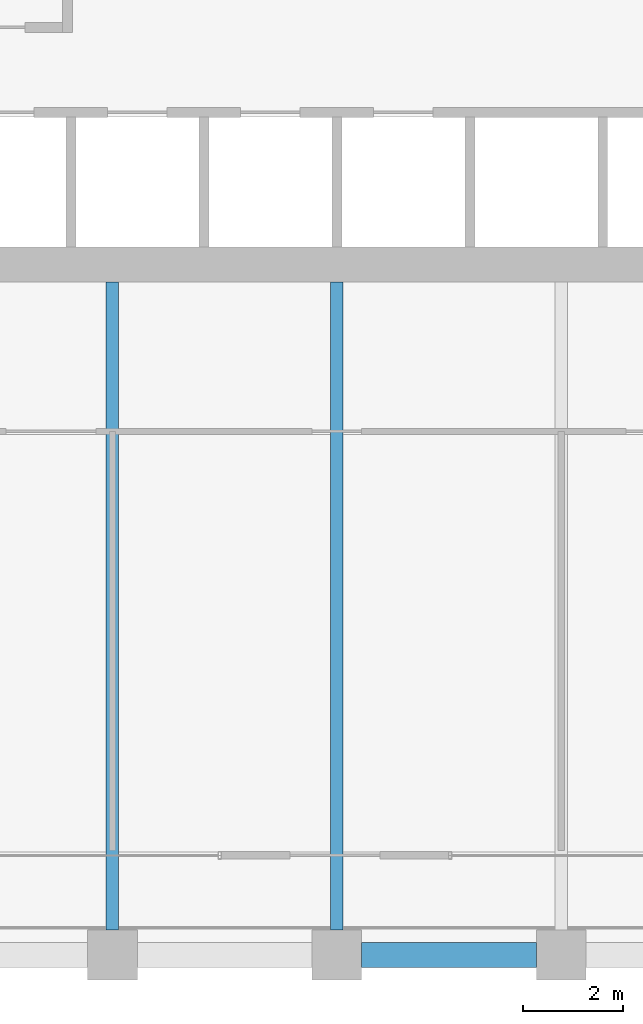
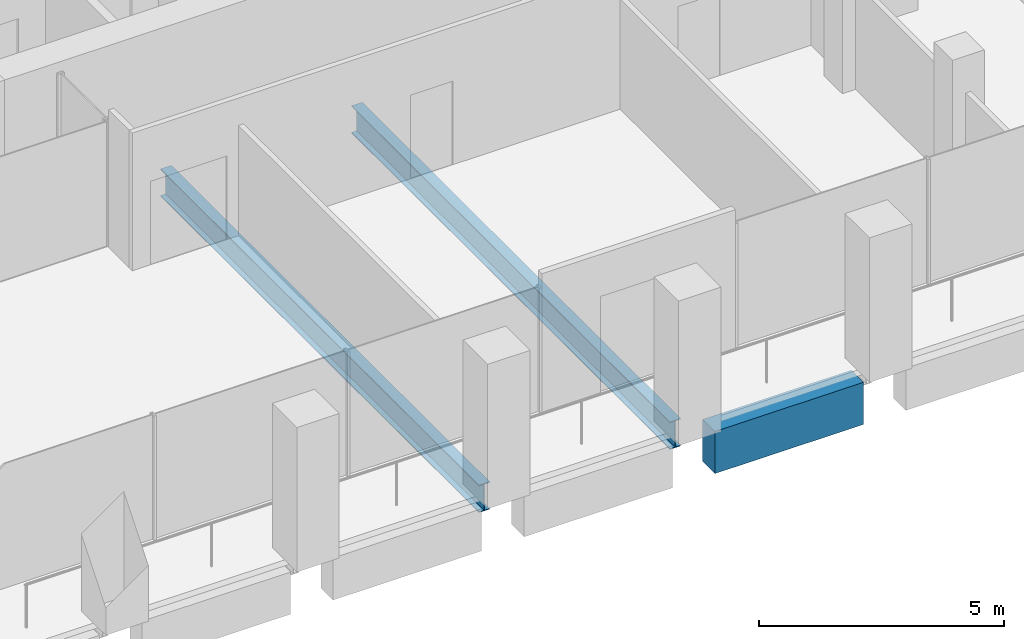
# One storey, part 8 of 46: 3 beams.
"""IFC4 building model written with IfcOpenShell, lengths in metres."""

from ifc_helpers import new_model, si_unit, direction, frame, origin, origin_2d, place, context, subcontext, project, spatial, rectangle, i_section, extrude, material, material_profile, profile_set, type_object, element, save


model = new_model("IFC4")

# Units and contexts
model_context = context("Model", 3, precision=1e-05, world=origin(), true_north=direction((0.0, 1.0)))
body_context = subcontext(model_context, "Body", "Model", "MODEL_VIEW")
ifc_project = project(units=[si_unit("LENGTHUNIT", "METRE"), si_unit("AREAUNIT", "SQUARE_METRE"), si_unit("VOLUMEUNIT", "CUBIC_METRE"), si_unit("PLANEANGLEUNIT", "RADIAN"), si_unit("MASSUNIT", "GRAM", prefix="KILO")], contexts=[model_context])

# Site, building, storey
site_placement = place(None, origin())
site = spatial("IfcSite", under=ifc_project, at=site_placement, CompositionType="ELEMENT")
building_placement = place(site_placement, origin())
building = spatial("IfcBuilding", under=site, at=building_placement, Name="Altepetl Exchange Towers", CompositionType="ELEMENT")
storey_placement = place(building_placement, frame((0.0, 0.0, 102.800048828125)))
storey = spatial("IfcBuildingStorey", under=building, at=storey_placement, Name="L25", CompositionType="ELEMENT", Elevation=102.800048828125)

# Beams
ifc_material_1 = material(Name="Steel S355", Category="steel")
ifc_material_profile_1 = material_profile(ifc_material_1, i_section(OverallWidth=0.25390625, OverallDepth=0.68408203125, WebThickness=0.012451171875, FlangeThickness=0.018798828125, at=origin_2d()), Name="W27X94")
ifc_profile_set_1 = profile_set([ifc_material_profile_1], Name="Steel S355")
beam_type_1 = type_object("IfcBeamType", Name="Floor beam W27X94", PredefinedType="BEAM", material=ifc_profile_set_1)
for number, where, z_axis, x_axis, name in (
    (1, (45.0, 27.5, -0.491943359375), (0.0, 1.0, 0.0), (-1.0, 0.0, 0.0), "bm:A:L25:015"),
    (2, (49.5, 27.5, -0.491943359375), (0.0, 1.0, 0.0), (-1.0, 0.0, 0.0), "bm:A:L25:016"),
):
    element("IfcBeam", number, at=place(storey_placement, frame(where, z_axis=z_axis, x_axis=x_axis)), inside=storey, type_object=beam_type_1, Name=name, PredefinedType="BEAM", context=body_context, shape_type="SweptSolid", body=[
        extrude(i_section(OverallWidth=0.25390625, OverallDepth=0.68408203125, WebThickness=0.012451171875, FlangeThickness=0.018798828125, at=origin_2d()), origin(), (0.0, 0.0, 1.0), 13.0),
    ])
ifc_material_2 = material(Name="Concrete C50/60 precast with cantera blanca facing", Category="concrete")
ifc_material_profile_2 = material_profile(ifc_material_2, rectangle(XDim=0.5, YDim=1.050048828125, at=origin_2d()), Name="500 x 1050")
ifc_profile_set_2 = profile_set([ifc_material_profile_2], Name="Concrete C50/60 precast with cantera blanca facing")
beam_type_2 = type_object("IfcBeamType", Name="Spandrel beam 500x1050 cantera blanca", PredefinedType="SPANDREL", material=ifc_profile_set_2)
beam_placement = place(storey_placement, frame((50.0, 27.0, -0.675048828125), z_axis=(1.0, 0.0, 0.0), x_axis=(0.0, 1.0, 0.0)))
element("IfcBeam", 3, at=beam_placement, inside=storey, type_object=beam_type_2, Name="sp:A:L25:004", PredefinedType="SPANDREL", context=body_context, shape_type="SweptSolid", body=[
    extrude(rectangle(XDim=0.5, YDim=1.050048828125, at=origin_2d()), origin(), (0.0, 0.0, 1.0), 3.5),
])

save(model, "model.ifc")
